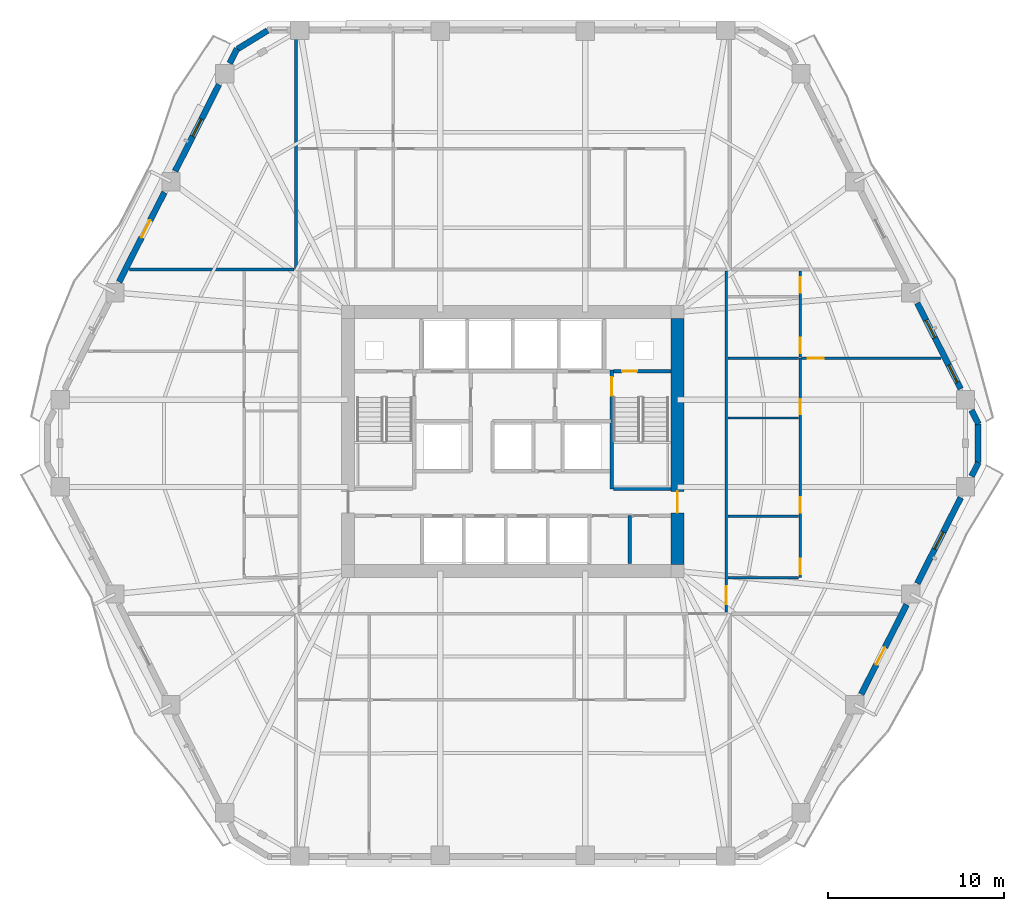
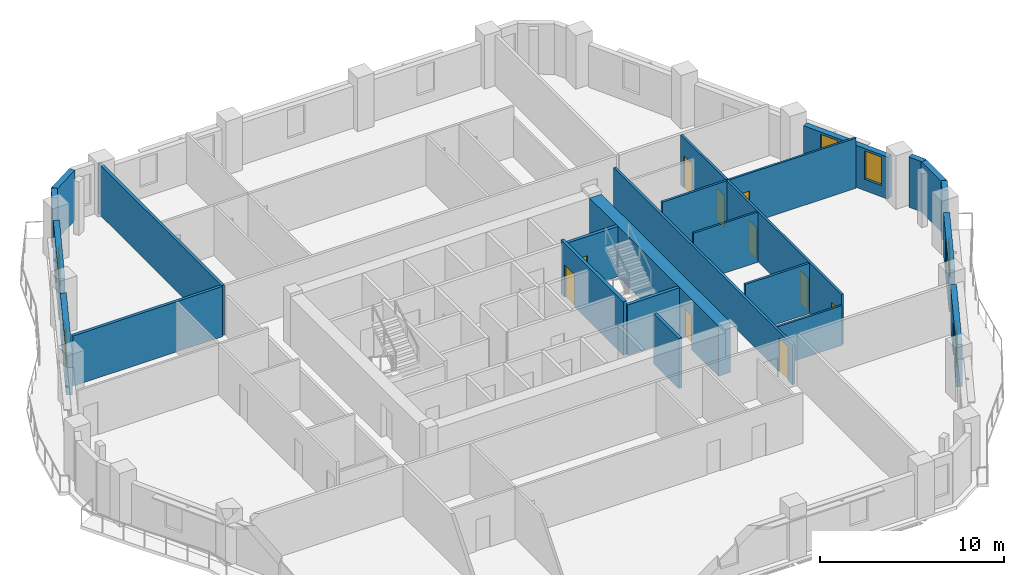
# One storey, part 6 of 13: 25 walls, 12 doors, 4 windows, 16 openings.
"""IFC4 building model written with IfcOpenShell, lengths in metres."""

import ifcopenshell
import ifcopenshell.guid

model = None  # the IFC model being written
_history = None  # IfcOwnerHistory: only IFC2X3 demands one
_inside = {}  # id of a spatial element -> (the spatial element, [elements in it])
_under = {}  # id of a project, library or spatial element -> (it, [spatial elements below it])
_declared = {}  # id of a project -> (the project, [libraries it declares])
_typed = {}  # id of a type object -> (the type object, [elements of that type])
_made_of = {}  # id of a material, layer set ... -> (it, [elements and type objects made of it])


def new_model(schema):
    """Start an empty IFC model of exactly this schema.

    Asked for "IFC4X3", IfcOpenShell would pick the latest addendum, in which some entities
    have other attributes; the version numbers below select the first issue.
    IFC2X3 requires an IfcOwnerHistory on every rooted entity: one is made here for all.
    """
    global model, _history
    if schema == "IFC4X3":
        model = ifcopenshell.file(schema_version=(4, 3, 0, 0))
    else:
        model = ifcopenshell.file(schema=schema)
    _inside.clear()
    _under.clear()
    _declared.clear()
    _typed.clear()
    _made_of.clear()
    _history = None
    if model.schema == "IFC2X3":
        org = make("IfcOrganization", Name="unknown")
        user = make(
            "IfcPersonAndOrganization",
            ThePerson=make("IfcPerson", FamilyName="unknown"),
            TheOrganization=org,
        )
        app = make(
            "IfcApplication",
            ApplicationDeveloper=org,
            Version="unknown",
            ApplicationFullName="unknown",
            ApplicationIdentifier="unknown",
        )
        _history = make(
            "IfcOwnerHistory",
            OwningUser=user,
            OwningApplication=app,
            ChangeAction="ADDED",
            CreationDate=0,
        )
    return model


def make(cls, **values):
    """One entity of the class cls with the attributes given. An attribute that is None is left unset."""
    return model.create_entity(
        cls, **{name: value for name, value in values.items() if value is not None}
    )


def rooted(cls, **values):
    """An entity with a GlobalId (a new one), such as an element, a storey or a relation."""
    return make(cls, GlobalId=ifcopenshell.guid.new(), OwnerHistory=_history, **values)


def si_unit(unit_type, name, prefix=None):
    """IfcSIUnit, for example si_unit("LENGTHUNIT", "METRE", prefix="MILLI")."""
    return make("IfcSIUnit", UnitType=unit_type, Prefix=prefix, Name=name)


def assignment(units):
    """IfcUnitAssignment: the units of a project."""
    return None if units is None else make("IfcUnitAssignment", Units=units)


def point(xyz):
    """IfcCartesianPoint."""
    return None if xyz is None else make("IfcCartesianPoint", Coordinates=xyz)


def direction(xyz):
    """IfcDirection."""
    return None if xyz is None else make("IfcDirection", DirectionRatios=xyz)


def frame(location, z_axis=None, x_axis=None):
    """IfcAxis2Placement3D, a coordinate frame: its origin and axes. An axis left out is left unset."""
    return make(
        "IfcAxis2Placement3D",
        Location=point(location),
        Axis=direction(z_axis),
        RefDirection=direction(x_axis),
    )


def frame_2d(location, x_axis=None):
    """IfcAxis2Placement2D, a coordinate frame in the plane: its origin and x axis."""
    return make(
        "IfcAxis2Placement2D", Location=point(location), RefDirection=direction(x_axis)
    )


def origin():
    """The frame at (0, 0, 0) with its axes left unset."""
    return frame((0.0, 0.0, 0.0))


def place(relative_to, where):
    """IfcLocalPlacement: puts the frame where relative to a parent placement (None: the world)."""
    return make(
        "IfcLocalPlacement", PlacementRelTo=relative_to, RelativePlacement=where
    )


def context(
    kind, dimensions, precision=None, world=None, true_north=None, identifier=None
):
    """IfcGeometricRepresentationContext, for example the 3D "Model" context."""
    return make(
        "IfcGeometricRepresentationContext",
        ContextIdentifier=identifier,
        ContextType=kind,
        CoordinateSpaceDimension=dimensions,
        Precision=precision,
        WorldCoordinateSystem=world,
        TrueNorth=true_north,
    )


def subcontext(parent, identifier, kind, view, scale=None):
    """IfcGeometricRepresentationSubContext, for example "Body" below "Model"."""
    return make(
        "IfcGeometricRepresentationSubContext",
        ContextIdentifier=identifier,
        ContextType=kind,
        ParentContext=parent,
        TargetScale=scale,
        TargetView=view,
    )


def project(units=None, contexts=None):
    """IfcProject with its units and contexts."""
    return rooted(
        "IfcProject",
        Name="project",
        RepresentationContexts=contexts,
        UnitsInContext=assignment(units),
    )


def spatial(cls, under=None, at=None, **own):
    """A site, building, storey or space (cls), placed at a placement, below another one or the project."""
    s = rooted(cls, ObjectPlacement=at, **own)
    if under is not None:
        _under.setdefault(under.id(), (under, []))[1].append(s)
    return s


def profile(cls, at=None, kind="AREA", **sizes):
    """A parametric profile (cls). Its sizes go by their IFC names, for example OverallWidth=200.0."""
    return make(cls, ProfileType=kind, Position=at, **sizes)


def rectangle(**sizes):
    """IfcRectangleProfileDef."""
    return profile("IfcRectangleProfileDef", **sizes)


def extrude(swept, where, along, depth):
    """IfcExtrudedAreaSolid: the profile swept, set in the frame where, extruded along a direction by depth."""
    return make(
        "IfcExtrudedAreaSolid",
        SweptArea=swept,
        Position=where,
        ExtrudedDirection=direction(along),
        Depth=depth,
    )


def shape(context_of_items, identifier, shape_type, items):
    """IfcShapeRepresentation: the items that make up one representation, for example the "Body"."""
    return make(
        "IfcShapeRepresentation",
        ContextOfItems=context_of_items,
        RepresentationIdentifier=identifier,
        RepresentationType=shape_type,
        Items=items,
    )


def material(Name=None, Category=None):
    """IfcMaterial."""
    return make("IfcMaterial", Name=Name, Category=Category)


def layer(
    of_material, thickness, ventilated=None, Name=None, Category=None, Priority=None
):
    """IfcMaterialLayer: one layer of a wall or slab, of a material (None: an air gap)."""
    return make(
        "IfcMaterialLayer",
        Material=of_material,
        LayerThickness=thickness,
        IsVentilated=ventilated,
        Name=Name,
        Category=Category,
        Priority=Priority,
    )


def layer_set(layers, Name=None):
    """IfcMaterialLayerSet."""
    return make("IfcMaterialLayerSet", MaterialLayers=layers, LayerSetName=Name)


def made_of(thing, what):
    """Note that an element or type object is made of a material, layer set ...; save() writes the relation."""
    if what is not None:
        _made_of.setdefault(what.id(), (what, []))[1].append(thing)
    return thing


def type_object(cls, material=None, **own):
    """A type object (cls), such as IfcWallType, which elements share."""
    return made_of(rooted(cls, **own), material)


def element(
    cls,
    number,
    at=None,
    inside=None,
    cuts=None,
    type_object=None,
    material=None,
    context=None,
    identifier="Body",
    shape_type=None,
    held_by="IfcProductDefinitionShape",
    body=None,
    shapes=None,
    **own,
):
    """One element of the class cls, such as IfcWall. Its Tag is "e" and its number.

    at: its placement. inside: the storey or other place that contains it. cuts: it is an
    opening in that element (IfcRelVoidsElement). A single representation is given by context,
    identifier, shape_type and body (its items); several are given by shapes. held_by: the class
    of the entity that holds the representations. save() writes the other relations.
    """
    e = rooted(cls, Tag="e%d" % number, ObjectPlacement=at, **own)
    if body is not None:
        shapes = [shape(context, identifier, shape_type, body)]
    if shapes is not None:
        e.Representation = make(held_by, Representations=shapes)
    if inside is not None:
        _inside.setdefault(inside.id(), (inside, []))[1].append(e)
    if cuts is not None:
        rooted(
            "IfcRelVoidsElement", RelatingBuildingElement=cuts, RelatedOpeningElement=e
        )
    if type_object is not None:
        _typed.setdefault(type_object.id(), (type_object, []))[1].append(e)
    return made_of(e, material)


def fill(opening, filler):
    """IfcRelFillsElement: the door or window that sits in an opening."""
    return rooted(
        "IfcRelFillsElement",
        RelatingOpeningElement=opening,
        RelatedBuildingElement=filler,
    )


def aggregate(whole, parts):
    """IfcRelAggregates: a whole, such as a stair, and the parts it consists of."""
    return rooted("IfcRelAggregates", RelatingObject=whole, RelatedObjects=parts)


def save(model, path):
    """Write the relations noted so far, then the file.

    IfcRelAggregates (storeys below a building ...), IfcRelContainedInSpatialStructure (elements
    in a storey), IfcRelDefinesByType, IfcRelAssociatesMaterial and IfcRelDeclares: one each for
    every whole, place, type object, material and project.
    """
    for whole, parts in _under.values():
        aggregate(whole, parts)
    for where, things in _inside.values():
        rooted(
            "IfcRelContainedInSpatialStructure",
            RelatedElements=things,
            RelatingStructure=where,
        )
    for kind, things in _typed.values():
        rooted("IfcRelDefinesByType", RelatedObjects=things, RelatingType=kind)
    for what, things in _made_of.values():
        rooted("IfcRelAssociatesMaterial", RelatedObjects=things, RelatingMaterial=what)
    for by, libraries in _declared.values():
        rooted("IfcRelDeclares", RelatingContext=by, RelatedDefinitions=libraries)
    model.write(path)


model = new_model("IFC4")

# Units and contexts
model_context = context("Model", 3, precision=1e-05, world=origin(), true_north=direction((0.0, 1.0)))
body_context = subcontext(model_context, "Body", "Model", "MODEL_VIEW")
ifc_project = project(units=[si_unit("LENGTHUNIT", "METRE"), si_unit("AREAUNIT", "SQUARE_METRE"), si_unit("VOLUMEUNIT", "CUBIC_METRE"), si_unit("PLANEANGLEUNIT", "RADIAN"), si_unit("MASSUNIT", "GRAM", prefix="KILO")], contexts=[model_context])

# Site, building, storey
site_placement = place(None, origin())
site = spatial("IfcSite", under=ifc_project, at=site_placement, CompositionType="ELEMENT")
building_placement = place(site_placement, origin())
building = spatial("IfcBuilding", under=site, at=building_placement, Name="Cinnabar Lancet Tower", CompositionType="ELEMENT")
storey_placement = place(building_placement, frame((0.0, 0.0, 83.550048828125)))
storey = spatial("IfcBuildingStorey", under=building, at=storey_placement, Name="L21", CompositionType="ELEMENT", Elevation=83.550048828125)

# Wall, opening, door
ifc_material_1 = material(Name="Acoustic twin-stud gypsum partition", Category="gypsum")
ifc_layer_1 = layer(ifc_material_1, 0.159912109375)
ifc_layer_set_1 = layer_set([ifc_layer_1], Name="Acoustic twin-stud gypsum partition")
wall_type_1 = type_object("IfcWallType", Name="ARC-WL-CORR-160", PredefinedType="PARTITIONING", material=ifc_layer_set_1)
wall_1_placement = place(storey_placement, frame((44.550048828125, 16.195068359375, 0.0), z_axis=(0.0, 0.0, 1.0), x_axis=(0.0, 1.0, 0.0)))
wall_1 = element("IfcWall", 1, at=wall_1_placement, inside=storey, type_object=wall_type_1, Name="UW-L21-E01-COR", PredefinedType="PARTITIONING", context=body_context, shape_type="SweptSolid", body=[
    extrude(rectangle(XDim=19.409912109375, YDim=0.159912109375, at=frame_2d((9.705078125, 0.0))), origin(), (0.0, 0.0, 1.0), 2.635986328125),
])
opening_1_placement = place(wall_1_placement, frame((0.449951171875, 0.0, 0.0)))
opening_1 = element("IfcOpeningElement", 2, at=opening_1_placement, cuts=wall_1, Name="Opening UD-01", PredefinedType="OPENING", context=body_context, shape_type="SweptSolid", body=[
    extrude(rectangle(XDim=1.02001953125, YDim=2.25, at=frame_2d((0.510009765625, 1.125))), frame((0.0, 0.08984375, 0.0), z_axis=(0.0, -1.0, 0.0), x_axis=(1.0, 0.0, 0.0)), (0.0, 0.0, 1.0), 0.179931640625),
])
ifc_material_2 = material(Name="Solid timber fire-rated apartment entrance door", Category="wood")
door_type_1 = type_object("IfcDoorType", Name="ARC-DR-UNIT", OperationType="NOTDEFINED", PredefinedType="DOOR", material=ifc_material_2)
door_1_placement = place(opening_1_placement, origin())
door_1 = element("IfcDoor", 3, at=door_1_placement, inside=storey, type_object=door_type_1, Name="DR-L21-E01-ENT", OperationType="SINGLE_SWING_LEFT", OverallHeight=2.25, OverallWidth=1.02001953125, PredefinedType="DOOR", context=body_context, shape_type="SweptSolid", body=[
    extrude(rectangle(XDim=1.02001953125, YDim=2.25, at=frame_2d((0.510009765625, 1.125))), frame((0.0, 0.02490234375, 0.0), z_axis=(0.0, -1.0, 0.0), x_axis=(1.0, 0.0, 0.0)), (0.0, 0.0, 1.0), 0.050048828125),
])
fill(opening_1, door_1)

# Walls
ifc_material_3 = material(Name="Fire-rated twin-frame acoustic drywall", Category="gypsum")
ifc_layer_2 = layer(ifc_material_3, 0.179931640625)
ifc_layer_set_2 = layer_set([ifc_layer_2], Name="Fire-rated twin-frame acoustic drywall")
wall_type_2 = type_object("IfcWallType", Name="ARC-WL-PARTY-180", PredefinedType="PARTITIONING", material=ifc_layer_set_2)
wall_2_placement = place(storey_placement, frame((20.050048828125, 35.699951171875, 0.0), z_axis=(0.0, 0.0, 1.0), x_axis=(0.0, 1.0, 0.0)))
element("IfcWall", 4, at=wall_2_placement, inside=storey, type_object=wall_type_2, Name="PW-L21-NPTY-200", PredefinedType="PARTITIONING", context=body_context, shape_type="SweptSolid", body=[
    extrude(rectangle(XDim=13.445068359375, YDim=0.179931640625, at=frame_2d((6.72265625, 0.0))), origin(), (0.0, 0.0, 1.0), 3.329833984375),
])
wall_3_placement = place(storey_placement, frame((10.589111328125, 35.699951171875, 0.0), z_axis=(0.0, 0.0, 1.0), x_axis=(1.0, 0.0, 0.0)))
element("IfcWall", 5, at=wall_3_placement, inside=storey, type_object=wall_type_2, Name="PW-L21-WNB", PredefinedType="PARTITIONING", context=body_context, shape_type="SweptSolid", body=[
    extrude(rectangle(XDim=9.365966796875, YDim=0.179931640625, at=frame_2d((4.68310546875, 0.0))), origin(), (0.0, 0.0, 1.0), 3.329833984375),
])
ifc_material_4 = material(Name="Autoclaved aerated concrete blockwork", Category="masonry")
ifc_layer_3 = layer(ifc_material_4, 0.199951171875)
ifc_layer_set_3 = layer_set([ifc_layer_3], Name="Autoclaved aerated concrete blockwork")
wall_type_3 = type_object("IfcWallType", Name="ARC-WL-SHAFT-200", PredefinedType="PLUMBINGWALL", material=ifc_layer_set_3)
wall_4_placement = place(storey_placement, frame((38.125, 23.199951171875, 0.0), z_axis=(0.0, 0.0, 1.0), x_axis=(1.0, 0.0, 0.0)))
element("IfcWall", 6, at=wall_4_placement, inside=storey, type_object=wall_type_3, Name="CW-ST2S-L21", PredefinedType="PLUMBINGWALL", context=body_context, shape_type="SweptSolid", body=[
    extrude(rectangle(XDim=3.27001953125, YDim=0.199951171875, at=frame_2d((1.635009765625, 0.0))), origin(), (0.0, 0.0, 1.0), 3.329833984375),
])

# Wall, opening, door
wall_5_placement = place(storey_placement, frame((38.125, 29.89990234375, 0.0), z_axis=(0.0, 0.0, 1.0), x_axis=(1.0, 0.0, 0.0)))
wall_5 = element("IfcWall", 7, at=wall_5_placement, inside=storey, type_object=wall_type_3, Name="CW-NSH-E-L21", PredefinedType="PLUMBINGWALL", context=body_context, shape_type="SweptSolid", body=[
    extrude(rectangle(XDim=3.27001953125, YDim=0.199951171875, at=frame_2d((1.635009765625, 0.0))), origin(), (0.0, 0.0, 1.0), 3.329833984375),
])
opening_2_placement = place(wall_5_placement, frame((0.5, 0.0, 0.0)))
opening_2 = element("IfcOpeningElement", 8, at=opening_2_placement, cuts=wall_5, Name="Opening PD-02", PredefinedType="OPENING", context=body_context, shape_type="SweptSolid", body=[
    extrude(rectangle(XDim=0.85009765625, YDim=2.050048828125, at=frame_2d((0.425048828125, 1.02490234375))), frame((0.0, 0.10986328125, 0.0), z_axis=(0.0, -1.0, 0.0), x_axis=(1.0, 0.0, 0.0)), (0.0, 0.0, 1.0), 0.219970703125),
])
ifc_material_5 = material(Name="Fire-rated steel riser access door", Category="steel")
door_type_2 = type_object("IfcDoorType", Name="ARC-DR-RISER", OperationType="NOTDEFINED", PredefinedType="DOOR", material=ifc_material_5)
door_2_placement = place(opening_2_placement, origin())
door_2 = element("IfcDoor", 9, at=door_2_placement, inside=storey, type_object=door_type_2, Name="L21 East Riser Access Door", OperationType="SINGLE_SWING_RIGHT", OverallHeight=2.050048828125, OverallWidth=0.85009765625, PredefinedType="DOOR", context=body_context, shape_type="SweptSolid", body=[
    extrude(rectangle(XDim=0.85009765625, YDim=2.050048828125, at=frame_2d((0.425048828125, 1.02490234375))), frame((0.0, 0.02490234375, 0.0), z_axis=(0.0, -1.0, 0.0), x_axis=(1.0, 0.0, 0.0)), (0.0, 0.0, 1.0), 0.050048828125),
])
fill(opening_2, door_2)

# Walls
wall_6_placement = place(storey_placement, frame((39.050048828125, 18.949951171875, 0.0), z_axis=(0.0, 0.0, 1.0), x_axis=(0.0, 1.0, 0.0)))
element("IfcWall", 10, at=wall_6_placement, inside=storey, type_object=wall_type_3, Name="CW-SB-SE-L21", PredefinedType="PLUMBINGWALL", context=body_context, shape_type="SweptSolid", body=[
    extrude(rectangle(XDim=2.72998046875, YDim=0.199951171875, at=frame_2d((1.364990234375, 0.0))), origin(), (0.0, 0.0, 1.0), 3.329833984375),
])
ifc_material_6 = material(Name="Gypsum plasterboard stud partition", Category="gypsum")
ifc_layer_4 = layer(ifc_material_6, 0.125)
ifc_layer_set_4 = layer_set([ifc_layer_4], Name="Gypsum plasterboard stud partition")
wall_type_4 = type_object("IfcWallType", Name="ARC-WL-UNIT-125", PredefinedType="PARTITIONING", material=ifc_layer_set_4)
wall_7_placement = place(storey_placement, frame((44.635009765625, 18.14990234375, 0.0), z_axis=(0.0, 0.0, 1.0), x_axis=(1.0, 0.0, 0.0)))
element("IfcWall", 11, at=wall_7_placement, inside=storey, type_object=wall_type_4, Name="UW-L21-E01-FOYN", PredefinedType="PARTITIONING", context=body_context, shape_type="SweptSolid", body=[
    extrude(rectangle(XDim=4.030029296875, YDim=0.125, at=frame_2d((2.01513671875, 0.0))), origin(), (0.0, 0.0, 1.0), 2.635986328125),
])

# Wall, opening, door
wall_8_placement = place(storey_placement, frame((48.824951171875, 30.64599609375, 0.0), z_axis=(0.0, 0.0, 1.0), x_axis=(1.0, 0.0, 0.0)))
wall_8 = element("IfcWall", 12, at=wall_8_placement, inside=storey, type_object=wall_type_4, Name="UW-L21-E01-MBN", PredefinedType="PARTITIONING", context=body_context, shape_type="SweptSolid", body=[
    extrude(rectangle(XDim=7.958984375, YDim=0.125, at=frame_2d((3.9794921875, 0.0))), origin(), (0.0, 0.0, 1.0), 3.329833984375),
])
opening_3_placement = place(wall_8_placement, frame((0.35009765625, 0.0, 0.0)))
opening_3 = element("IfcOpeningElement", 13, at=opening_3_placement, cuts=wall_8, Name="Opening RD-01", PredefinedType="OPENING", context=body_context, shape_type="SweptSolid", body=[
    extrude(rectangle(XDim=0.919921875, YDim=2.14990234375, at=frame_2d((0.4599609375, 1.074951171875))), frame((0.0, 0.072509765625, 0.0), z_axis=(0.0, -1.0, 0.0), x_axis=(1.0, 0.0, 0.0)), (0.0, 0.0, 1.0), 0.14501953125),
])
ifc_material_7 = material(Name="Engineered timber bedroom door", Category="wood")
door_type_3 = type_object("IfcDoorType", Name="ARC-DR-ROOM", OperationType="NOTDEFINED", PredefinedType="DOOR", material=ifc_material_7)
door_3_placement = place(opening_3_placement, origin())
door_3 = element("IfcDoor", 14, at=door_3_placement, inside=storey, type_object=door_type_3, Name="DR-L21-E01-MBD", OperationType="SINGLE_SWING_LEFT", OverallHeight=2.14990234375, OverallWidth=0.919921875, PredefinedType="DOOR", context=body_context, shape_type="SweptSolid", body=[
    extrude(rectangle(XDim=0.919921875, YDim=2.14990234375, at=frame_2d((0.4599609375, 1.074951171875))), frame((0.0, 0.02490234375, 0.0), z_axis=(0.0, -1.0, 0.0), x_axis=(1.0, 0.0, 0.0)), (0.0, 0.0, 1.0), 0.050048828125),
])
fill(opening_3, door_3)

# Wall
wall_9_placement = place(storey_placement, frame((44.635009765625, 27.24609375, 0.0), z_axis=(0.0, 0.0, 1.0), x_axis=(1.0, 0.0, 0.0)))
element("IfcWall", 15, at=wall_9_placement, inside=storey, type_object=wall_type_4, Name="UW-L21-E01-UDV", PredefinedType="PARTITIONING", context=body_context, shape_type="SweptSolid", body=[
    extrude(rectangle(XDim=4.030029296875, YDim=0.125, at=frame_2d((2.01513671875, 0.0))), origin(), (0.0, 0.0, 1.0), 3.329833984375),
])

# Wall, openings, doors
ifc_material_8 = material(Name="Moisture-resistant cement-board plumbing wall", Category="masonry")
ifc_layer_5 = layer(ifc_material_8, 0.139892578125)
ifc_layer_set_5 = layer_set([ifc_layer_5], Name="Moisture-resistant cement-board plumbing wall")
wall_type_5 = type_object("IfcWallType", Name="ARC-WL-WET-140", PredefinedType="PLUMBINGWALL", material=ifc_layer_set_5)
wall_10_placement = place(storey_placement, frame((48.75, 18.14990234375, 0.0), z_axis=(0.0, 0.0, 1.0), x_axis=(0.0, 1.0, 0.0)))
wall_10 = element("IfcWall", 16, at=wall_10_placement, inside=storey, type_object=wall_type_5, Name="UW-L21-E01-SPL", PredefinedType="PLUMBINGWALL", context=body_context, shape_type="SweptSolid", body=[
    extrude(rectangle(XDim=12.49609375, YDim=0.139892578125, at=frame_2d((6.248046875, 0.0))), origin(), (0.0, 0.0, 1.0), 3.329833984375),
])
opening_4_placement = place(wall_10_placement, frame((0.199951171875, 0.0, 0.0)))
opening_4 = element("IfcOpeningElement", 17, at=opening_4_placement, cuts=wall_10, Name="Opening RD-02", PredefinedType="OPENING", context=body_context, shape_type="SweptSolid", body=[
    extrude(rectangle(XDim=0.8798828125, YDim=2.14990234375, at=frame_2d((0.43994140625, 1.074951171875))), frame((0.0, 0.079833984375, 0.0), z_axis=(0.0, -1.0, 0.0), x_axis=(1.0, 0.0, 0.0)), (0.0, 0.0, 1.0), 0.159912109375),
])
opening_5_placement = place(wall_10_placement, frame((3.699951171875, 0.0, 0.0)))
opening_5 = element("IfcOpeningElement", 18, at=opening_5_placement, cuts=wall_10, Name="Opening RD-02", PredefinedType="OPENING", context=body_context, shape_type="SweptSolid", body=[
    extrude(rectangle(XDim=0.8798828125, YDim=2.14990234375, at=frame_2d((0.43994140625, 1.074951171875))), frame((0.0, 0.079833984375, 0.0), z_axis=(0.0, -1.0, 0.0), x_axis=(1.0, 0.0, 0.0)), (0.0, 0.0, 1.0), 0.159912109375),
])
opening_6_placement = place(wall_10_placement, frame((9.2958984375, 0.0, 0.0)))
opening_6 = element("IfcOpeningElement", 19, at=opening_6_placement, cuts=wall_10, Name="Opening BD-01", PredefinedType="OPENING", context=body_context, shape_type="SweptSolid", body=[
    extrude(rectangle(XDim=0.860107421875, YDim=2.10009765625, at=frame_2d((0.43017578125, 1.050048828125))), frame((0.0, 0.079833984375, 0.0), z_axis=(0.0, -1.0, 0.0), x_axis=(1.0, 0.0, 0.0)), (0.0, 0.0, 1.0), 0.159912109375),
])
ifc_material_9 = material(Name="Moisture-resistant timber bathroom door", Category="wood")
door_type_4 = type_object("IfcDoorType", Name="ARC-DR-BATH", OperationType="NOTDEFINED", PredefinedType="DOOR", material=ifc_material_9)
door_4_placement = place(opening_6_placement, origin())
door_4 = element("IfcDoor", 20, at=door_4_placement, inside=storey, type_object=door_type_4, Name="DR-L21-E01-BTH", OperationType="SINGLE_SWING_RIGHT", OverallHeight=2.10009765625, OverallWidth=0.860107421875, PredefinedType="DOOR", context=body_context, shape_type="SweptSolid", body=[
    extrude(rectangle(XDim=0.860107421875, YDim=2.10009765625, at=frame_2d((0.43017578125, 1.050048828125))), frame((0.0, 0.02490234375, 0.0), z_axis=(0.0, -1.0, 0.0), x_axis=(1.0, 0.0, 0.0)), (0.0, 0.0, 1.0), 0.050048828125),
])
fill(opening_6, door_4)
ifc_material_10 = material(Name="Engineered timber study door", Category="wood")
door_type_5 = type_object("IfcDoorType", Name="ARC-DR-STUDY", OperationType="NOTDEFINED", PredefinedType="DOOR", material=ifc_material_10)
door_5_placement = place(opening_4_placement, origin())
door_5 = element("IfcDoor", 21, at=door_5_placement, inside=storey, type_object=door_type_5, Name="DR-L21-E01-KIT", OperationType="SINGLE_SWING_RIGHT", OverallHeight=2.14990234375, OverallWidth=0.8798828125, PredefinedType="DOOR", context=body_context, shape_type="SweptSolid", body=[
    extrude(rectangle(XDim=0.8798828125, YDim=2.14990234375, at=frame_2d((0.43994140625, 1.074951171875))), frame((0.0, 0.02490234375, 0.0), z_axis=(0.0, -1.0, 0.0), x_axis=(1.0, 0.0, 0.0)), (0.0, 0.0, 1.0), 0.050048828125),
])
fill(opening_4, door_5)
door_6_placement = place(opening_5_placement, origin())
door_6 = element("IfcDoor", 22, at=door_6_placement, inside=storey, type_object=door_type_5, Name="DR-L21-E01-UTL", OperationType="SINGLE_SWING_LEFT", OverallHeight=2.14990234375, OverallWidth=0.8798828125, PredefinedType="DOOR", context=body_context, shape_type="SweptSolid", body=[
    extrude(rectangle(XDim=0.8798828125, YDim=2.14990234375, at=frame_2d((0.43994140625, 1.074951171875))), frame((0.0, 0.02490234375, 0.0), z_axis=(0.0, -1.0, 0.0), x_axis=(1.0, 0.0, 0.0)), (0.0, 0.0, 1.0), 0.050048828125),
])
fill(opening_5, door_6)

wall_11_placement = place(storey_placement, frame((48.75, 30.716064453125, 0.0), z_axis=(0.0, 0.0, 1.0), x_axis=(0.0, 1.0, 0.0)))
wall_11 = element("IfcWall", 23, at=wall_11_placement, inside=storey, type_object=wall_type_5, Name="UW-L21-E01-SPM", PredefinedType="PLUMBINGWALL", context=body_context, shape_type="SweptSolid", body=[
    extrude(rectangle(XDim=4.888916015625, YDim=0.139892578125, at=frame_2d((2.4443359375, 0.0))), origin(), (0.0, 0.0, 1.0), 3.329833984375),
])
opening_7_placement = place(wall_11_placement, frame((0.219970703125, 0.0, 0.0)))
opening_7 = element("IfcOpeningElement", 24, at=opening_7_placement, cuts=wall_11, Name="Opening BD-01", PredefinedType="OPENING", context=body_context, shape_type="SweptSolid", body=[
    extrude(rectangle(XDim=0.860107421875, YDim=2.10009765625, at=frame_2d((0.43017578125, 1.050048828125))), frame((0.0, 0.079833984375, 0.0), z_axis=(0.0, -1.0, 0.0), x_axis=(1.0, 0.0, 0.0)), (0.0, 0.0, 1.0), 0.159912109375),
])
opening_8_placement = place(wall_11_placement, frame((3.653076171875, 0.0, 0.0)))
opening_8 = element("IfcOpeningElement", 25, at=opening_8_placement, cuts=wall_11, Name="Opening RD-02", PredefinedType="OPENING", context=body_context, shape_type="SweptSolid", body=[
    extrude(rectangle(XDim=0.8798828125, YDim=2.14990234375, at=frame_2d((0.43994140625, 1.074951171875))), frame((0.0, 0.079833984375, 0.0), z_axis=(0.0, -1.0, 0.0), x_axis=(1.0, 0.0, 0.0)), (0.0, 0.0, 1.0), 0.159912109375),
])
door_7_placement = place(opening_7_placement, origin())
door_7 = element("IfcDoor", 26, at=door_7_placement, inside=storey, type_object=door_type_4, Name="DR-L21-E01-ENS", OperationType="SINGLE_SWING_LEFT", OverallHeight=2.10009765625, OverallWidth=0.860107421875, PredefinedType="DOOR", context=body_context, shape_type="SweptSolid", body=[
    extrude(rectangle(XDim=0.860107421875, YDim=2.10009765625, at=frame_2d((0.43017578125, 1.050048828125))), frame((0.0, 0.02490234375, 0.0), z_axis=(0.0, -1.0, 0.0), x_axis=(1.0, 0.0, 0.0)), (0.0, 0.0, 1.0), 0.050048828125),
])
fill(opening_7, door_7)
door_8_placement = place(opening_8_placement, origin())
door_8 = element("IfcDoor", 27, at=door_8_placement, inside=storey, type_object=door_type_5, Name="DR-L21-E01-EWDR", OperationType="SINGLE_SWING_RIGHT", OverallHeight=2.14990234375, OverallWidth=0.8798828125, PredefinedType="DOOR", context=body_context, shape_type="SweptSolid", body=[
    extrude(rectangle(XDim=0.8798828125, YDim=2.14990234375, at=frame_2d((0.43994140625, 1.074951171875))), frame((0.0, 0.02490234375, 0.0), z_axis=(0.0, -1.0, 0.0), x_axis=(1.0, 0.0, 0.0)), (0.0, 0.0, 1.0), 0.050048828125),
])
fill(opening_8, door_8)

# Walls
for number, where, z_axis, x_axis, name in (
    (28, (44.635009765625, 30.64599609375, 0.0), (0.0, 0.0, 1.0), (1.0, 0.0, 0.0), "UW-L21-E01-ENSN"),
    (29, (44.635009765625, 21.64990234375, 0.0), (0.0, 0.0, 1.0), (1.0, 0.0, 0.0), "UW-L21-E01-KDV"),
):
    element("IfcWall", number, at=place(storey_placement, frame(where, z_axis=z_axis, x_axis=x_axis)), inside=storey, type_object=wall_type_5, Name=name, PredefinedType="PLUMBINGWALL", context=body_context, shape_type="SweptSolid", body=[
        extrude(rectangle(XDim=4.030029296875, YDim=0.139892578125, at=frame_2d((2.01513671875, 0.0))), origin(), (0.0, 0.0, 1.0), 3.329833984375),
    ])
ifc_material_11 = material(Name="Cinnabar red clay brick", Category="masonry")
ifc_layer_6 = layer(ifc_material_11, 0.340087890625)
ifc_layer_set_6 = layer_set([ifc_layer_6], Name="Cinnabar red clay brick")
wall_type_6 = type_object("IfcWallType", Name="ENV-WL-BRK-RED-340", PredefinedType="STANDARD", material=ifc_layer_set_6)
wall_12_placement = place(storey_placement, frame((58.887939453125, 24.714111328125, 0.0), z_axis=(0.0, 0.0, 1.0), x_axis=(0.0, 1.0, 0.0)))
element("IfcWall", 30, at=wall_12_placement, inside=storey, type_object=wall_type_6, Name="L21 Chamfered Corner Brick Pier 3.1", PredefinedType="STANDARD", context=body_context, shape_type="SweptSolid", body=[
    extrude(rectangle(XDim=2.171875, YDim=0.340087890625, at=frame_2d((1.0859375, 0.0))), origin(), (0.0, 0.0, 1.0), 3.329833984375),
])
wall_13_placement = place(storey_placement, frame((18.43896484375, 49.294921875, 0.0), z_axis=(0.0, 0.0, 1.0), x_axis=(-0.851870104345, -0.523753114857, 0.0)))
element("IfcWall", 31, at=wall_13_placement, inside=storey, type_object=wall_type_6, Name="L21 Chamfered Corner Brick Pier 5.1", PredefinedType="STANDARD", context=body_context, shape_type="SweptSolid", body=[
    extrude(rectangle(XDim=2.017822265625, YDim=0.340087890625, at=frame_2d((1.0087890625, 0.0))), origin(), (0.0, 0.0, 1.0), 3.329833984375),
])

# Wall, opening, door
wall_14_placement = place(storey_placement, frame((52.23291015625, 11.514892578125, 0.0), z_axis=(0.0, 0.0, 1.0), x_axis=(0.451616680182, 0.892212067942, 0.0)))
wall_14 = element("IfcWall", 32, at=wall_14_placement, inside=storey, type_object=wall_type_6, Name="L21 Face 2 Masonry Bay Wall 3", PredefinedType="STANDARD", context=body_context, shape_type="SweptSolid", body=[
    extrude(rectangle(XDim=5.715087890625, YDim=0.340087890625, at=frame_2d((2.857421875, 0.0))), origin(), (0.0, 0.0, 1.0), 2.786865234375),
])
opening_9_placement = place(wall_14_placement, frame((1.89404296875, 0.0, 0.0)))
opening_9 = element("IfcOpeningElement", 33, at=opening_9_placement, cuts=wall_14, Name="Opening TD-01", PredefinedType="OPENING", context=body_context, shape_type="SweptSolid", body=[
    extrude(rectangle(XDim=1.10009765625, YDim=2.25, at=frame_2d((0.550048828125, 1.125))), frame((0.0, 0.179931640625, 0.0), z_axis=(0.0, -1.0, 0.0), x_axis=(1.0, 0.0, 0.0)), (0.0, 0.0, 1.0), 0.360107421875),
])
ifc_material_12 = material(Name="Thermally broken low-E glazed balcony terrace door", Category="wood")
door_type_6 = type_object("IfcDoorType", Name="ARC-DR-BALC", OperationType="NOTDEFINED", PredefinedType="DOOR", material=ifc_material_12)
door_9_placement = place(opening_9_placement, origin())
door_9 = element("IfcDoor", 34, at=door_9_placement, inside=storey, type_object=door_type_6, Name="L21 Face 2 Glazed Terrace Door", OperationType="SINGLE_SWING_RIGHT", OverallHeight=2.25, OverallWidth=1.10009765625, PredefinedType="DOOR", context=body_context, shape_type="SweptSolid", body=[
    extrude(rectangle(XDim=1.10009765625, YDim=2.25, at=frame_2d((0.550048828125, 1.125))), frame((0.0, 0.02490234375, 0.0), z_axis=(0.0, -1.0, 0.0), x_axis=(1.0, 0.0, 0.0)), (0.0, 0.0, 1.0), 0.050048828125),
])
fill(opening_9, door_9)

# Wall, opening, window
wall_15_placement = place(storey_placement, frame((55.426025390625, 17.823974609375, 0.0), z_axis=(0.0, 0.0, 1.0), x_axis=(0.451579095309, 0.892231091523, 0.0)))
wall_15 = element("IfcWall", 35, at=wall_15_placement, inside=storey, type_object=wall_type_6, Name="L21 Face 2 Masonry Bay Wall 4", PredefinedType="STANDARD", context=body_context, shape_type="SweptSolid", body=[
    extrude(rectangle(XDim=5.473876953125, YDim=0.340087890625, at=frame_2d((2.73681640625, 0.0))), origin(), (0.0, 0.0, 1.0), 2.786865234375),
])
opening_10_placement = place(wall_15_placement, frame((2.18701171875, 0.0, 0.75)))
opening_10 = element("IfcOpeningElement", 36, at=opening_10_placement, cuts=wall_15, Name="Opening WN-04", PredefinedType="OPENING", context=body_context, shape_type="SweptSolid", body=[
    extrude(rectangle(XDim=1.10009765625, YDim=1.886962890625, at=frame_2d((0.550048828125, 0.943359375))), frame((0.0, 0.179931640625, 0.0), z_axis=(0.0, -1.0, 0.0), x_axis=(1.0, 0.0, 0.0)), (0.0, 0.0, 1.0), 0.360107421875),
])
ifc_material_13 = material(Name="Thermally broken bronze-anodized aluminium tall lancet window", Category="aluminium")
window_type = type_object("IfcWindowType", Name="ENV-WN-LANCET-1100", PartitioningType="SINGLE_PANEL", PredefinedType="WINDOW", material=ifc_material_13)
window_1_placement = place(opening_10_placement, origin())
window_1 = element("IfcWindow", 37, at=window_1_placement, inside=storey, type_object=window_type, Name="L21 Face 2 Gothic Lancet Window 4", OverallHeight=1.886962890625, OverallWidth=1.10009765625, PartitioningType="SINGLE_PANEL", PredefinedType="WINDOW", context=body_context, shape_type="SweptSolid", body=[
    extrude(rectangle(XDim=1.10009765625, YDim=1.886962890625, at=frame_2d((0.550048828125, 0.943359375))), frame((0.0, 0.030029296875, 0.0), z_axis=(0.0, -1.0, 0.0), x_axis=(1.0, 0.0, 0.0)), (0.0, 0.0, 1.0), 0.06005859375),
])
fill(opening_10, window_1)

# Walls
wall_16_placement = place(storey_placement, frame((58.510986328125, 23.919921875, 0.0), z_axis=(0.0, 0.0, 1.0), x_axis=(0.451195173259, 0.892425299747, 0.0)))
element("IfcWall", 38, at=wall_16_placement, inside=storey, type_object=wall_type_6, Name="L21 Face 2 Masonry Bay Wall 5", PredefinedType="STANDARD", context=body_context, shape_type="SweptSolid", body=[
    extrude(rectangle(XDim=0.882080078125, YDim=0.340087890625, at=frame_2d((0.44091796875, 0.0))), origin(), (0.0, 0.0, 1.0), 3.329833984375),
])
wall_17_placement = place(storey_placement, frame((58.908935546875, 26.89306640625, 0.0), z_axis=(0.0, 0.0, 1.0), x_axis=(-0.451306655769, 0.892368927327, 0.0)))
element("IfcWall", 39, at=wall_17_placement, inside=storey, type_object=wall_type_6, Name="L21 Face 3 Masonry Bay Wall 1", PredefinedType="STANDARD", context=body_context, shape_type="SweptSolid", body=[
    extrude(rectangle(XDim=0.8818359375, YDim=0.340087890625, at=frame_2d((0.44091796875, 0.0))), origin(), (0.0, 0.0, 1.0), 3.329833984375),
])

# Wall, openings, windows
wall_18_placement = place(storey_placement, frame((57.89794921875, 28.89208984375, 0.0), z_axis=(0.0, 0.0, 1.0), x_axis=(-0.451597066012, 0.892221995901, 0.0)))
wall_18 = element("IfcWall", 40, at=wall_18_placement, inside=storey, type_object=wall_type_6, Name="L21 Face 3 Masonry Bay Wall 2", PredefinedType="STANDARD", context=body_context, shape_type="SweptSolid", body=[
    extrude(rectangle(XDim=5.4736328125, YDim=0.340087890625, at=frame_2d((2.73681640625, 0.0))), origin(), (0.0, 0.0, 1.0), 2.786865234375),
])
opening_11_placement = place(wall_18_placement, frame((0.424072265625, 0.0, 0.75)))
opening_11 = element("IfcOpeningElement", 41, at=opening_11_placement, cuts=wall_18, Name="Opening WN-04", PredefinedType="OPENING", context=body_context, shape_type="SweptSolid", body=[
    extrude(rectangle(XDim=1.10009765625, YDim=1.886962890625, at=frame_2d((0.550048828125, 0.943359375))), frame((0.0, 0.179931640625, 0.0), z_axis=(0.0, -1.0, 0.0), x_axis=(1.0, 0.0, 0.0)), (0.0, 0.0, 1.0), 0.360107421875),
])
opening_12_placement = place(wall_18_placement, frame((3.281005859375, 0.0, 0.75)))
opening_12 = element("IfcOpeningElement", 42, at=opening_12_placement, cuts=wall_18, Name="Opening WN-04", PredefinedType="OPENING", context=body_context, shape_type="SweptSolid", body=[
    extrude(rectangle(XDim=1.10009765625, YDim=1.886962890625, at=frame_2d((0.550048828125, 0.943359375))), frame((0.0, 0.179931640625, 0.0), z_axis=(0.0, -1.0, 0.0), x_axis=(1.0, 0.0, 0.0)), (0.0, 0.0, 1.0), 0.360107421875),
])
window_2_placement = place(opening_11_placement, origin())
window_2 = element("IfcWindow", 43, at=window_2_placement, inside=storey, type_object=window_type, Name="L21 Face 3 Gothic Lancet Window 2", OverallHeight=1.886962890625, OverallWidth=1.10009765625, PartitioningType="SINGLE_PANEL", PredefinedType="WINDOW", context=body_context, shape_type="SweptSolid", body=[
    extrude(rectangle(XDim=1.10009765625, YDim=1.886962890625, at=frame_2d((0.550048828125, 0.943359375))), frame((0.0, 0.030029296875, 0.0), z_axis=(0.0, -1.0, 0.0), x_axis=(1.0, 0.0, 0.0)), (0.0, 0.0, 1.0), 0.06005859375),
])
fill(opening_11, window_2)
window_3_placement = place(opening_12_placement, origin())
window_3 = element("IfcWindow", 44, at=window_3_placement, inside=storey, type_object=window_type, Name="L21 Split-Bay Gothic Lancet Window 61", OverallHeight=1.886962890625, OverallWidth=1.10009765625, PartitioningType="SINGLE_PANEL", PredefinedType="WINDOW", context=body_context, shape_type="SweptSolid", body=[
    extrude(rectangle(XDim=1.10009765625, YDim=1.886962890625, at=frame_2d((0.550048828125, 0.943359375))), frame((0.0, 0.030029296875, 0.0), z_axis=(0.0, -1.0, 0.0), x_axis=(1.0, 0.0, 0.0)), (0.0, 0.0, 1.0), 0.06005859375),
])
fill(opening_12, window_3)

# Wall
wall_19_placement = place(storey_placement, frame((16.699951171875, 48.25390625, 0.0), z_axis=(0.0, 0.0, 1.0), x_axis=(-0.452088642812, -0.891973014749, 0.0)))
element("IfcWall", 45, at=wall_19_placement, inside=storey, type_object=wall_type_6, Name="L21 Face 5 Masonry Bay Wall 1", PredefinedType="STANDARD", context=body_context, shape_type="SweptSolid", body=[
    extrude(rectangle(XDim=0.920166015625, YDim=0.340087890625, at=frame_2d((0.4599609375, 0.0))), origin(), (0.0, 0.0, 1.0), 3.329833984375),
])

# Wall, opening, window
wall_20_placement = place(storey_placement, frame((15.672119140625, 46.220947265625, 0.0), z_axis=(0.0, 0.0, 1.0), x_axis=(-0.451737622594, -0.892150839451, 0.0)))
wall_20 = element("IfcWall", 46, at=wall_20_placement, inside=storey, type_object=wall_type_6, Name="L21 Face 5 Masonry Bay Wall 2", PredefinedType="STANDARD", context=body_context, shape_type="SweptSolid", body=[
    extrude(rectangle(XDim=5.51904296875, YDim=0.340087890625, at=frame_2d((2.759521484375, 0.0))), origin(), (0.0, 0.0, 1.0), 2.786865234375),
])
opening_13_placement = place(wall_20_placement, frame((2.2099609375, 0.0, 0.75)))
opening_13 = element("IfcOpeningElement", 47, at=opening_13_placement, cuts=wall_20, Name="Opening WN-04", PredefinedType="OPENING", context=body_context, shape_type="SweptSolid", body=[
    extrude(rectangle(XDim=1.10009765625, YDim=1.886962890625, at=frame_2d((0.550048828125, 0.943359375))), frame((0.0, 0.179931640625, 0.0), z_axis=(0.0, -1.0, 0.0), x_axis=(1.0, 0.0, 0.0)), (0.0, 0.0, 1.0), 0.360107421875),
])
window_4_placement = place(opening_13_placement, origin())
window_4 = element("IfcWindow", 48, at=window_4_placement, inside=storey, type_object=window_type, Name="L21 Face 5 Gothic Lancet Window 2", OverallHeight=1.886962890625, OverallWidth=1.10009765625, PartitioningType="SINGLE_PANEL", PredefinedType="WINDOW", context=body_context, shape_type="SweptSolid", body=[
    extrude(rectangle(XDim=1.10009765625, YDim=1.886962890625, at=frame_2d((0.550048828125, 0.943359375))), frame((0.0, 0.030029296875, 0.0), z_axis=(0.0, -1.0, 0.0), x_axis=(1.0, 0.0, 0.0)), (0.0, 0.0, 1.0), 0.06005859375),
])
fill(opening_13, window_4)

# Wall, opening, door
wall_21_placement = place(storey_placement, frame((12.56689453125, 40.0849609375, 0.0), z_axis=(0.0, 0.0, 1.0), x_axis=(-0.451599886425, -0.892220568347, 0.0)))
wall_21 = element("IfcWall", 49, at=wall_21_placement, inside=storey, type_object=wall_type_6, Name="L21 Face 5 Masonry Bay Wall 3", PredefinedType="STANDARD", context=body_context, shape_type="SweptSolid", body=[
    extrude(rectangle(XDim=5.71484375, YDim=0.340087890625, at=frame_2d((2.857421875, 0.0))), origin(), (0.0, 0.0, 1.0), 2.786865234375),
])
opening_14_placement = place(wall_21_placement, frame((1.781982421875, 0.0, 0.0)))
opening_14 = element("IfcOpeningElement", 50, at=opening_14_placement, cuts=wall_21, Name="Opening TD-01", PredefinedType="OPENING", context=body_context, shape_type="SweptSolid", body=[
    extrude(rectangle(XDim=1.10009765625, YDim=2.25, at=frame_2d((0.550048828125, 1.125))), frame((0.0, 0.179931640625, 0.0), z_axis=(0.0, -1.0, 0.0), x_axis=(1.0, 0.0, 0.0)), (0.0, 0.0, 1.0), 0.360107421875),
])
door_10_placement = place(opening_14_placement, origin())
door_10 = element("IfcDoor", 51, at=door_10_placement, inside=storey, type_object=door_type_6, Name="L21 Face 5 Glazed Terrace Door", OperationType="SINGLE_SWING_LEFT", OverallHeight=2.25, OverallWidth=1.10009765625, PredefinedType="DOOR", context=body_context, shape_type="SweptSolid", body=[
    extrude(rectangle(XDim=1.10009765625, YDim=2.25, at=frame_2d((0.550048828125, 1.125))), frame((0.0, 0.02490234375, 0.0), z_axis=(0.0, -1.0, 0.0), x_axis=(1.0, 0.0, 0.0)), (0.0, 0.0, 1.0), 0.050048828125),
])
fill(opening_14, door_10)

ifc_material_14 = material(Name="Concrete C70/85", Category="concrete")
ifc_layer_7 = layer(ifc_material_14, 0.75)
ifc_layer_set_7 = layer_set([ifc_layer_7], Name="Concrete C70/85")
wall_type_7 = type_object("IfcWallType", Name="STR-WL-CORE-750", PredefinedType="SHEAR", material=ifc_layer_set_7)
wall_22_placement = place(storey_placement, frame((41.77490234375, 18.89990234375, 0.0), z_axis=(0.0, 0.0, 1.0), x_axis=(0.0, 1.0, 0.0)))
wall_22 = element("IfcWall", 52, at=wall_22_placement, inside=storey, type_object=wall_type_7, Name="L21 Core Shear Wall E", PredefinedType="SHEAR", context=body_context, shape_type="SweptSolid", body=[
    extrude(rectangle(XDim=14.0, YDim=0.75, at=frame_2d((7.0, 0.0))), origin(), (0.0, 0.0, 1.0), 3.329833984375),
])
opening_15_placement = place(wall_22_placement, frame((2.93994140625, 0.0, 0.0)))
opening_15 = element("IfcOpeningElement", 53, at=opening_15_placement, cuts=wall_22, Name="Opening FD-02", PredefinedType="OPENING", context=body_context, shape_type="SweptSolid", body=[
    extrude(rectangle(XDim=1.219970703125, YDim=2.25, at=frame_2d((0.60986328125, 1.125))), frame((0.0, 0.385009765625, 0.0), z_axis=(0.0, -1.0, 0.0), x_axis=(1.0, 0.0, 0.0)), (0.0, 0.0, 1.0), 0.77001953125),
])
ifc_material_15 = material(Name="Fire-rated double-vision core portal door", Category="wood")
door_type_7 = type_object("IfcDoorType", Name="ARC-DR-CPORT", OperationType="NOTDEFINED", PredefinedType="DOOR", material=ifc_material_15)
door_11_placement = place(opening_15_placement, origin())
door_11 = element("IfcDoor", 54, at=door_11_placement, inside=storey, type_object=door_type_7, Name="L21 East Core Lobby Fire Door", OperationType="SINGLE_SWING_LEFT", OverallHeight=2.25, OverallWidth=1.219970703125, PredefinedType="DOOR", context=body_context, shape_type="SweptSolid", body=[
    extrude(rectangle(XDim=1.219970703125, YDim=2.25, at=frame_2d((0.60986328125, 1.125))), frame((0.0, 0.02490234375, 0.0), z_axis=(0.0, -1.0, 0.0), x_axis=(1.0, 0.0, 0.0)), (0.0, 0.0, 1.0), 0.050048828125),
])
fill(opening_15, door_11)

ifc_material_16 = material(Name="Concrete C50/60", Category="concrete")
ifc_layer_8 = layer(ifc_material_16, 0.199951171875)
ifc_layer_set_8 = layer_set([ifc_layer_8], Name="Concrete C50/60")
wall_type_8 = type_object("IfcWallType", Name="STR-WL-STAIR-200", PredefinedType="SHEAR", material=ifc_layer_set_8)
wall_23_placement = place(storey_placement, frame((38.02001953125, 23.199951171875, 0.0), z_axis=(0.0, 0.0, 1.0), x_axis=(0.0, 1.0, 0.0)))
wall_23 = element("IfcWall", 55, at=wall_23_placement, inside=storey, type_object=wall_type_8, Name="L21 Stair ST-2 Structural Enclosure Wall", PredefinedType="SHEAR", context=body_context, shape_type="SweptSolid", body=[
    extrude(rectangle(XDim=6.780029296875, YDim=0.199951171875, at=frame_2d((3.39013671875, 0.0))), origin(), (0.0, 0.0, 1.0), 3.550048828125),
])
opening_16_placement = place(wall_23_placement, frame((5.320068359375, 0.0, 0.0)))
opening_16 = element("IfcOpeningElement", 56, at=opening_16_placement, cuts=wall_23, Name="Opening SD-01", PredefinedType="OPENING", context=body_context, shape_type="SweptSolid", body=[
    extrude(rectangle(XDim=1.050048828125, YDim=2.14990234375, at=frame_2d((0.52490234375, 1.074951171875))), frame((0.0, 0.10986328125, 0.0), z_axis=(0.0, -1.0, 0.0), x_axis=(1.0, 0.0, 0.0)), (0.0, 0.0, 1.0), 0.219970703125),
])
ifc_material_17 = material(Name="Fire-rated steel stair exit door", Category="steel")
door_type_8 = type_object("IfcDoorType", Name="ARC-DR-STAIR", OperationType="NOTDEFINED", PredefinedType="DOOR", material=ifc_material_17)
door_12_placement = place(opening_16_placement, origin())
door_12 = element("IfcDoor", 57, at=door_12_placement, inside=storey, type_object=door_type_8, Name="L21 Stair ST-2 Fire Door", OperationType="SINGLE_SWING_RIGHT", OverallHeight=2.14990234375, OverallWidth=1.050048828125, PredefinedType="DOOR", context=body_context, shape_type="SweptSolid", body=[
    extrude(rectangle(XDim=1.050048828125, YDim=2.14990234375, at=frame_2d((0.52490234375, 1.074951171875))), frame((0.0, 0.02490234375, 0.0), z_axis=(0.0, -1.0, 0.0), x_axis=(1.0, 0.0, 0.0)), (0.0, 0.0, 1.0), 0.050048828125),
])
fill(opening_16, door_12)

save(model, "model.ifc")
